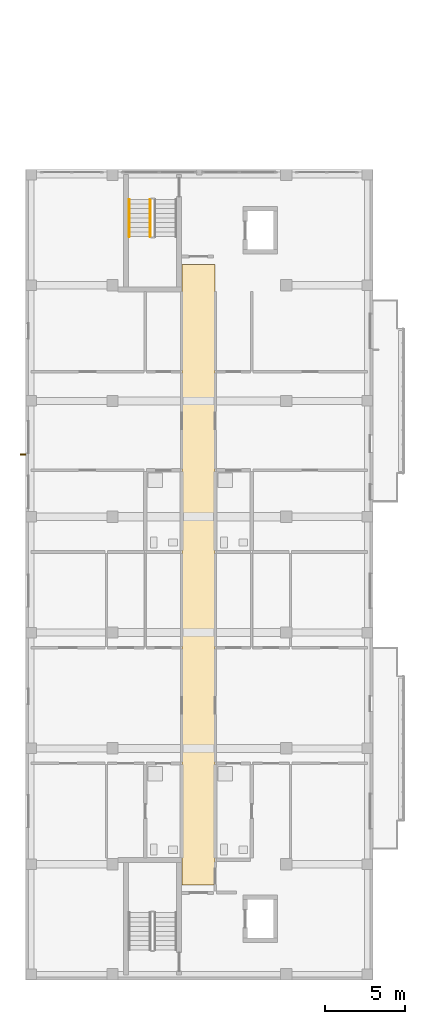
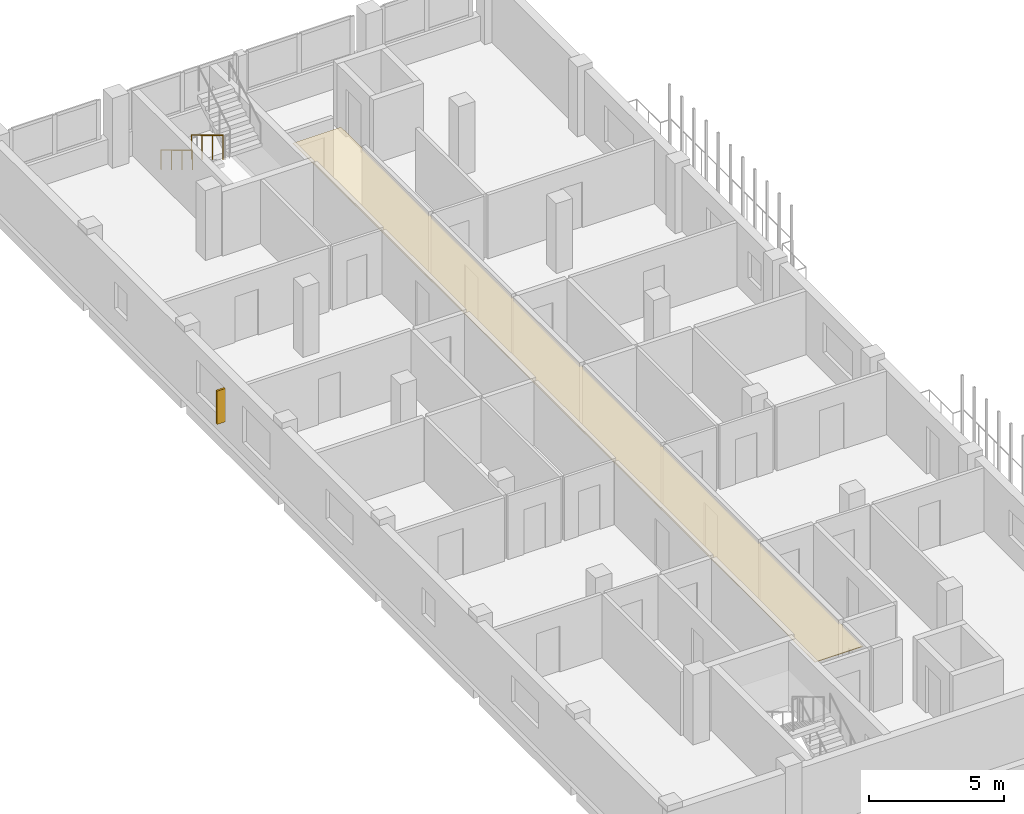
# One storey, part 40 of 51: 2 railings, 1 covering, 1 shading device.
"""IFC4 building model written with IfcOpenShell, lengths in metres."""

from ifc_helpers import new_model, si_unit, derived_unit, direction, frame, origin, origin_2d, place, context, subcontext, project, spatial, polyline, rectangle, circle, outline, extrude, material, layer, layer_set, type_object, element, save


model = new_model("IFC4")

# Units and contexts
model_context = context("Model", 3, precision=1e-05, world=origin(), true_north=direction((0.0, 1.0)))
body_context = subcontext(model_context, "Body", "Model", "MODEL_VIEW")
ifc_project = project(units=[si_unit("LENGTHUNIT", "METRE"), si_unit("AREAUNIT", "SQUARE_METRE"), si_unit("VOLUMEUNIT", "CUBIC_METRE"), si_unit("PLANEANGLEUNIT", "RADIAN"), si_unit("MASSUNIT", "GRAM", prefix="KILO"), derived_unit("THERMALTRANSMITTANCEUNIT", [(si_unit("MASSUNIT", "GRAM", prefix="KILO"), 1), (si_unit("TIMEUNIT", "SECOND"), -3), (si_unit("THERMODYNAMICTEMPERATUREUNIT", "KELVIN"), -1)])], contexts=[model_context])

# Site, building, storey
site_placement = place(None, origin())
site = spatial("IfcSite", under=ifc_project, at=site_placement, CompositionType="ELEMENT")
building_placement = place(site_placement, origin())
building = spatial("IfcBuilding", under=site, at=building_placement, Name="Ochrekiln Boulevard Commons", CompositionType="ELEMENT")
storey_placement = place(building_placement, frame((0.0, 0.0, 15.22509765625)))
storey = spatial("IfcBuildingStorey", under=building, at=storey_placement, Name="L04", CompositionType="ELEMENT", Elevation=15.22509765625)

# Covering
ifc_material_1 = material(Name="Mineral-fibre acoustic ceiling tile")
ifc_layer = layer(ifc_material_1, 0.02490234375)
ifc_layer_set = layer_set([ifc_layer], Name="Mineral-fibre acoustic ceiling tile")
covering_type = type_object("IfcCoveringType", Name="COV-CEIL-AC", PredefinedType="CEILING", material=ifc_layer_set)
covering_placement = place(storey_placement, frame((0.0, 0.0, 2.64990234375)))
element("IfcCovering", 1, at=covering_placement, inside=storey, type_object=covering_type, Name="L04 Acoustic Corridor Ceiling 46", PredefinedType="CEILING", context=body_context, shape_type="SweptSolid", body=[
    extrude(outline(polyline([(9.719970703125, 5.919921875), (11.780029296875, 5.919921875), (11.780029296875, 44.47998046875), (9.719970703125, 44.47998046875), (9.719970703125, 5.919921875)])), origin(), (0.0, 0.0, 1.0), 0.02490234375),
])

# Railings
ifc_material_2 = material(Name="Brushed stainless steel 316 tubular railing", Category="steel")
railing_type_1 = type_object("IfcRailingType", Name="RLG-HDR-900", PredefinedType="HANDRAIL", material=ifc_material_2)
railing_1_placement = place(storey_placement, frame((6.449951171875, 48.530029296875, 0.1748046875)))
element("IfcRailing", 2, at=railing_1_placement, inside=storey, type_object=railing_type_1, Name="L04 ST-D2 stair handrail 1", PredefinedType="HANDRAIL", context=body_context, shape_type="SweptSolid", body=[
    extrude(circle(Radius=0.02392578125, at=origin_2d()), frame((0.0, 0.0, 0.8759765625), z_axis=(0.0, -0.856170481923, 0.516693435108), x_axis=(1.0, 0.0, 0.0)), (0.0, 0.0, 1.0), 2.709716796875),
    extrude(circle(Radius=0.02099609375, at=origin_2d()), origin(), (0.0, 0.0, 1.0), 0.851806640625),
    extrude(circle(Radius=0.02099609375, at=origin_2d()), frame((0.0, -0.7734375, 0.466796875)), (0.0, 0.0, 1.0), 0.851806640625),
    extrude(circle(Radius=0.02099609375, at=origin_2d()), frame((0.0, -1.546630859375, 0.933349609375)), (0.0, 0.0, 1.0), 0.851806640625),
    extrude(circle(Radius=0.02099609375, at=origin_2d()), frame((0.0, -2.320068359375, 1.400146484375)), (0.0, 0.0, 1.0), 0.851806640625),
])
railing_type_2 = type_object("IfcRailingType", Name="RLG-STR-1120", PredefinedType="BALUSTRADE", material=ifc_material_2)
railing_2_placement = place(storey_placement, frame((7.75, 48.530029296875, 0.1748046875)))
element("IfcRailing", 3, at=railing_2_placement, inside=storey, type_object=railing_type_2, Name="L04 ST-D2 stair guard 1", PredefinedType="BALUSTRADE", context=body_context, shape_type="SweptSolid", body=[
    extrude(circle(Radius=0.02392578125, at=origin_2d()), frame((0.0, 0.0, 1.09619140625), z_axis=(0.0, -0.856170481923, 0.516693435108), x_axis=(1.0, 0.0, 0.0)), (0.0, 0.0, 1.0), 2.709716796875),
    extrude(circle(Radius=0.02099609375, at=origin_2d()), origin(), (0.0, 0.0, 1.0), 1.072021484375),
    extrude(circle(Radius=0.02099609375, at=origin_2d()), frame((0.0, -0.7734375, 0.466796875)), (0.0, 0.0, 1.0), 1.072021484375),
    extrude(circle(Radius=0.02099609375, at=origin_2d()), frame((0.0, -1.546630859375, 0.933349609375)), (0.0, 0.0, 1.0), 1.072021484375),
    extrude(circle(Radius=0.02099609375, at=origin_2d()), frame((0.0, -2.320068359375, 1.400146484375)), (0.0, 0.0, 1.0), 1.072021484375),
])

# Shading device
ifc_material_3 = material(Name="Glazed architectural terracotta ASTM C1405", Category="masonry")
shading_device_type = type_object("IfcShadingDeviceType", Name="SHD-FIN-TERRA", PredefinedType="JALOUSIE", material=ifc_material_3)
shading_device_placement = place(storey_placement, frame((-0.169921875, 32.669921875, 0.704833984375), z_axis=(0.0, 0.0, 1.0), x_axis=(1.0, 0.0, 0.0)))
element("IfcShadingDevice", 4, at=shading_device_placement, inside=storey, type_object=shading_device_type, Name="Terracotta Solar Shading Fin SF-01 (78)", PredefinedType="JALOUSIE", context=body_context, shape_type="SweptSolid", body=[
    extrude(rectangle(XDim=0.35009765625, YDim=0.080078125, at=origin_2d()), origin(), (0.0, 0.0, 1.0), 1.5),
])

save(model, "model.ifc")
